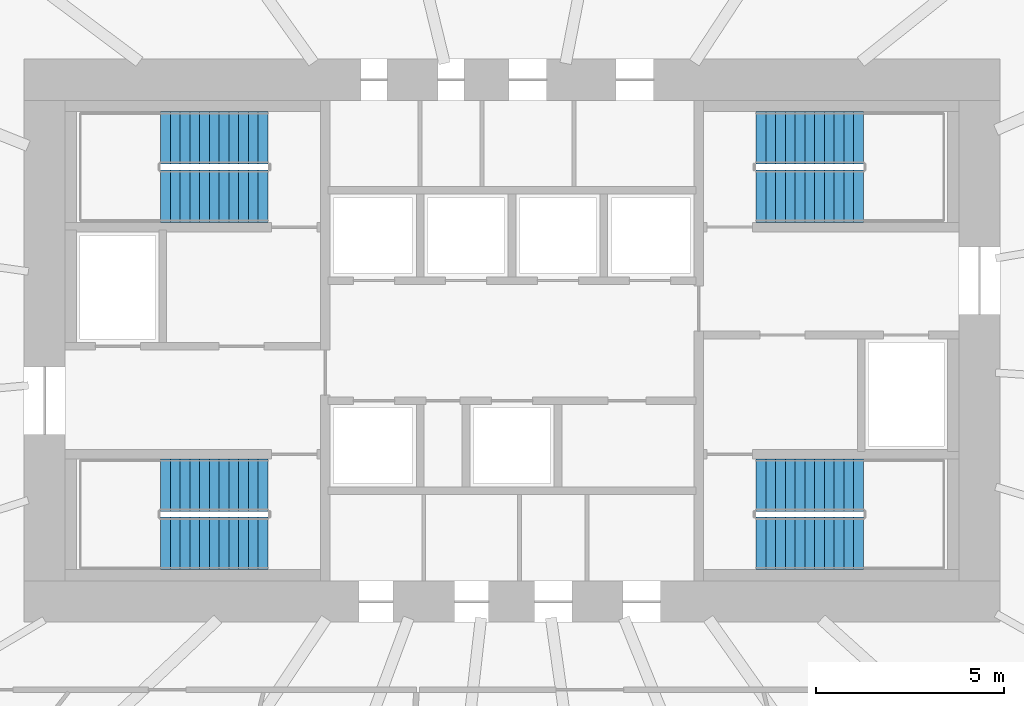
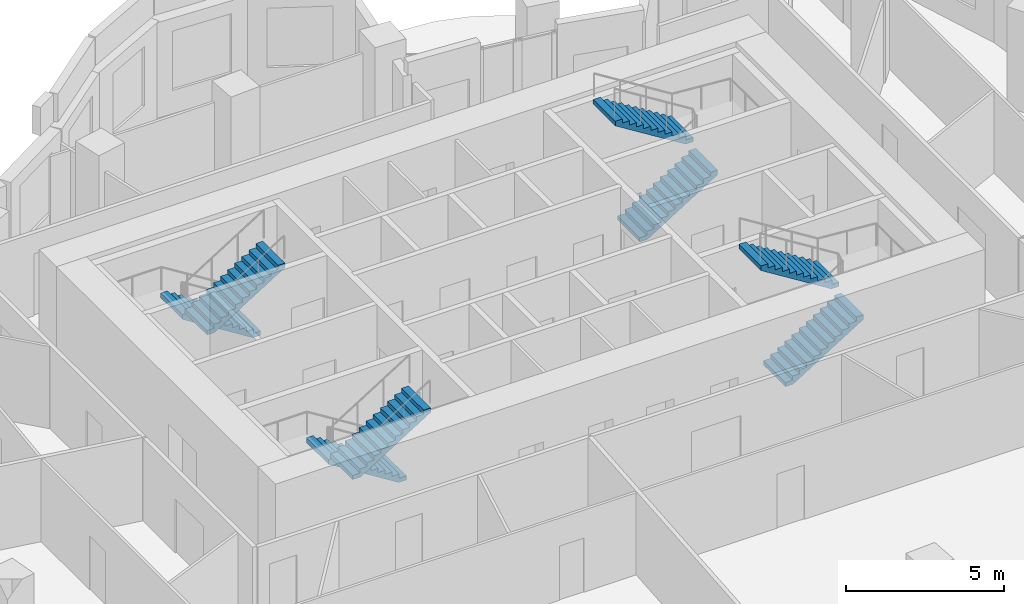
# One storey, part 10 of 11: 8 stair flights, 4 elements without a shape of their own.
"""IFC4 building model written with IfcOpenShell, lengths in metres."""

from ifc_helpers import new_model, si_unit, direction, frame, origin, place, context, subcontext, project, spatial, polyline, outline, extrude, material, type_object, element, aggregate, save


model = new_model("IFC4")

# Units and contexts
model_context = context("Model", 3, precision=1e-05, world=origin(), true_north=direction((0.0, 1.0)))
body_context = subcontext(model_context, "Body", "Model", "MODEL_VIEW")
ifc_project = project(units=[si_unit("LENGTHUNIT", "METRE"), si_unit("AREAUNIT", "SQUARE_METRE"), si_unit("VOLUMEUNIT", "CUBIC_METRE"), si_unit("PLANEANGLEUNIT", "RADIAN"), si_unit("MASSUNIT", "GRAM", prefix="KILO")], contexts=[model_context])

# Site, building, storey
site_placement = place(None, origin())
site = spatial("IfcSite", under=ifc_project, at=site_placement, CompositionType="ELEMENT")
building_placement = place(site_placement, origin())
building = spatial("IfcBuilding", under=site, at=building_placement, Name="Rubra Terraces Tower", CompositionType="ELEMENT")
storey_placement = place(building_placement, frame((0.0, 0.0, 146.10009765625)))
storey = spatial("IfcBuildingStorey", under=building, at=storey_placement, Name="L35", CompositionType="ELEMENT", Elevation=146.10009765625)

# Stair, stair flights
ifc_material = material(Name="Concrete C40", Category="concrete")
stair_type = type_object("IfcStairType", Name="Core stair 1400", PredefinedType="HALF_TURN_STAIR", material=ifc_material)
stair_1_placement = place(storey_placement, origin())
stair_1 = element("IfcStair", 1, at=stair_1_placement, inside=storey, type_object=stair_type, Name="L35 Exit stair S1", PredefinedType="HALF_TURN_STAIR")
stair_flight_type = type_object("IfcStairFlightType", Name="Core stair flight 1400", PredefinedType="STRAIGHT", material=ifc_material)
stair_flight_1_placement = place(storey_placement, frame((-6.5, 0.64990234375, 0.0), z_axis=(0.0, 0.0, 1.0), x_axis=(-1.0, 0.0, 0.0)))
stair_flight_1 = element("IfcStairFlight", 2, at=stair_flight_1_placement, type_object=stair_flight_type, Name="S1 flight 1", NumberOfRisers=12, NumberOfTreads=11, PredefinedType="STRAIGHT", RiserHeight=0.1625, TreadLength=0.26, context=body_context, shape_type="SweptSolid", body=[
    extrude(outline(polyline([(0.0, 0.0), (0.0, 0.16259765625), (0.260009765625, 0.16259765625), (0.260009765625, 0.324951171875), (0.52001953125, 0.324951171875), (0.52001953125, 0.487548828125), (0.780029296875, 0.487548828125), (0.780029296875, 0.64990234375), (1.0400390625, 0.64990234375), (1.0400390625, 0.8125), (1.300048828125, 0.8125), (1.300048828125, 0.97509765625), (1.56005859375, 0.97509765625), (1.56005859375, 1.137451171875), (1.820068359375, 1.137451171875), (1.820068359375, 1.300048828125), (2.080078125, 1.300048828125), (2.080078125, 1.46240234375), (2.340087890625, 1.46240234375), (2.340087890625, 1.625), (2.60009765625, 1.625), (2.60009765625, 1.78759765625), (2.860107421875, 1.78759765625), (2.860107421875, 1.949951171875), (2.860107421875, 1.61083984375), (0.28271484375, 0.0), (0.0, 0.0)])), frame((0.0, 0.699951171875, 0.0), z_axis=(0.0, -1.0, 0.0), x_axis=(1.0, 0.0, 0.0)), (0.0, 0.0, 1.0), 1.39990234375),
])
stair_flight_2_placement = place(storey_placement, frame((-9.360107421875, -0.89990234375, 1.949951171875), z_axis=(0.0, 0.0, 1.0), x_axis=(1.0, 0.0, 0.0)))
stair_flight_2 = element("IfcStairFlight", 3, at=stair_flight_2_placement, type_object=stair_flight_type, Name="S1 flight 2", NumberOfRisers=12, NumberOfTreads=11, PredefinedType="STRAIGHT", RiserHeight=0.1625, TreadLength=0.26, context=body_context, shape_type="SweptSolid", body=[
    extrude(outline(polyline([(0.0, 0.0), (0.0, 0.16259765625), (0.260009765625, 0.16259765625), (0.260009765625, 0.324951171875), (0.52001953125, 0.324951171875), (0.52001953125, 0.487548828125), (0.780029296875, 0.487548828125), (0.780029296875, 0.64990234375), (1.0400390625, 0.64990234375), (1.0400390625, 0.8125), (1.300048828125, 0.8125), (1.300048828125, 0.97509765625), (1.56005859375, 0.97509765625), (1.56005859375, 1.137451171875), (1.820068359375, 1.137451171875), (1.820068359375, 1.300048828125), (2.080078125, 1.300048828125), (2.080078125, 1.46240234375), (2.340087890625, 1.46240234375), (2.340087890625, 1.625), (2.60009765625, 1.625), (2.60009765625, 1.78759765625), (2.860107421875, 1.78759765625), (2.860107421875, 1.949951171875), (2.860107421875, 1.61083984375), (0.28271484375, 0.0), (0.0, 0.0)])), frame((0.0, 0.699951171875, 0.0), z_axis=(0.0, -1.0, 0.0), x_axis=(1.0, 0.0, 0.0)), (0.0, 0.0, 1.0), 1.39990234375),
])
aggregate(stair_1, [stair_flight_1, stair_flight_2])

stair_2_placement = place(storey_placement, origin())
stair_2 = element("IfcStair", 4, at=stair_2_placement, inside=storey, type_object=stair_type, Name="L35 Exit stair S2", PredefinedType="HALF_TURN_STAIR")
stair_flight_3_placement = place(storey_placement, frame((-6.5, 9.89990234375, 0.0), z_axis=(0.0, 0.0, 1.0), x_axis=(-1.0, 0.0, 0.0)))
stair_flight_3 = element("IfcStairFlight", 5, at=stair_flight_3_placement, type_object=stair_flight_type, Name="S2 flight 1", NumberOfRisers=12, NumberOfTreads=11, PredefinedType="STRAIGHT", RiserHeight=0.1625, TreadLength=0.26, context=body_context, shape_type="SweptSolid", body=[
    extrude(outline(polyline([(0.0, 0.0), (0.0, 0.16259765625), (0.260009765625, 0.16259765625), (0.260009765625, 0.324951171875), (0.52001953125, 0.324951171875), (0.52001953125, 0.487548828125), (0.780029296875, 0.487548828125), (0.780029296875, 0.64990234375), (1.0400390625, 0.64990234375), (1.0400390625, 0.8125), (1.300048828125, 0.8125), (1.300048828125, 0.97509765625), (1.56005859375, 0.97509765625), (1.56005859375, 1.137451171875), (1.820068359375, 1.137451171875), (1.820068359375, 1.300048828125), (2.080078125, 1.300048828125), (2.080078125, 1.46240234375), (2.340087890625, 1.46240234375), (2.340087890625, 1.625), (2.60009765625, 1.625), (2.60009765625, 1.78759765625), (2.860107421875, 1.78759765625), (2.860107421875, 1.949951171875), (2.860107421875, 1.61083984375), (0.28271484375, 0.0), (0.0, 0.0)])), frame((0.0, 0.699951171875, 0.0), z_axis=(0.0, -1.0, 0.0), x_axis=(1.0, 0.0, 0.0)), (0.0, 0.0, 1.0), 1.39990234375),
])
stair_flight_4_placement = place(storey_placement, frame((-9.360107421875, 8.35009765625, 1.949951171875), z_axis=(0.0, 0.0, 1.0), x_axis=(1.0, 0.0, 0.0)))
stair_flight_4 = element("IfcStairFlight", 6, at=stair_flight_4_placement, type_object=stair_flight_type, Name="S2 flight 2", NumberOfRisers=12, NumberOfTreads=11, PredefinedType="STRAIGHT", RiserHeight=0.1625, TreadLength=0.26, context=body_context, shape_type="SweptSolid", body=[
    extrude(outline(polyline([(0.0, 0.0), (0.0, 0.16259765625), (0.260009765625, 0.16259765625), (0.260009765625, 0.324951171875), (0.52001953125, 0.324951171875), (0.52001953125, 0.487548828125), (0.780029296875, 0.487548828125), (0.780029296875, 0.64990234375), (1.0400390625, 0.64990234375), (1.0400390625, 0.8125), (1.300048828125, 0.8125), (1.300048828125, 0.97509765625), (1.56005859375, 0.97509765625), (1.56005859375, 1.137451171875), (1.820068359375, 1.137451171875), (1.820068359375, 1.300048828125), (2.080078125, 1.300048828125), (2.080078125, 1.46240234375), (2.340087890625, 1.46240234375), (2.340087890625, 1.625), (2.60009765625, 1.625), (2.60009765625, 1.78759765625), (2.860107421875, 1.78759765625), (2.860107421875, 1.949951171875), (2.860107421875, 1.61083984375), (0.28271484375, 0.0), (0.0, 0.0)])), frame((0.0, 0.699951171875, 0.0), z_axis=(0.0, -1.0, 0.0), x_axis=(1.0, 0.0, 0.0)), (0.0, 0.0, 1.0), 1.39990234375),
])
aggregate(stair_2, [stair_flight_3, stair_flight_4])

stair_3_placement = place(storey_placement, origin())
stair_3 = element("IfcStair", 7, at=stair_3_placement, inside=storey, type_object=stair_type, Name="L35 Exit stair S3", PredefinedType="HALF_TURN_STAIR")
stair_flight_5_placement = place(storey_placement, frame((6.5, 8.35009765625, 0.0), z_axis=(0.0, 0.0, 1.0), x_axis=(1.0, 0.0, 0.0)))
stair_flight_5 = element("IfcStairFlight", 8, at=stair_flight_5_placement, type_object=stair_flight_type, Name="S3 flight 1", NumberOfRisers=12, NumberOfTreads=11, PredefinedType="STRAIGHT", RiserHeight=0.1625, TreadLength=0.26, context=body_context, shape_type="SweptSolid", body=[
    extrude(outline(polyline([(0.0, 0.0), (0.0, 0.16259765625), (0.260009765625, 0.16259765625), (0.260009765625, 0.324951171875), (0.52001953125, 0.324951171875), (0.52001953125, 0.487548828125), (0.780029296875, 0.487548828125), (0.780029296875, 0.64990234375), (1.0400390625, 0.64990234375), (1.0400390625, 0.8125), (1.300048828125, 0.8125), (1.300048828125, 0.97509765625), (1.56005859375, 0.97509765625), (1.56005859375, 1.137451171875), (1.820068359375, 1.137451171875), (1.820068359375, 1.300048828125), (2.080078125, 1.300048828125), (2.080078125, 1.46240234375), (2.340087890625, 1.46240234375), (2.340087890625, 1.625), (2.60009765625, 1.625), (2.60009765625, 1.78759765625), (2.860107421875, 1.78759765625), (2.860107421875, 1.949951171875), (2.860107421875, 1.61083984375), (0.28271484375, 0.0), (0.0, 0.0)])), frame((0.0, 0.699951171875, 0.0), z_axis=(0.0, -1.0, 0.0), x_axis=(1.0, 0.0, 0.0)), (0.0, 0.0, 1.0), 1.39990234375),
])
stair_flight_6_placement = place(storey_placement, frame((9.360107421875, 9.89990234375, 1.949951171875), z_axis=(0.0, 0.0, 1.0), x_axis=(-1.0, 0.0, 0.0)))
stair_flight_6 = element("IfcStairFlight", 9, at=stair_flight_6_placement, type_object=stair_flight_type, Name="S3 flight 2", NumberOfRisers=12, NumberOfTreads=11, PredefinedType="STRAIGHT", RiserHeight=0.1625, TreadLength=0.26, context=body_context, shape_type="SweptSolid", body=[
    extrude(outline(polyline([(0.0, 0.0), (0.0, 0.16259765625), (0.260009765625, 0.16259765625), (0.260009765625, 0.324951171875), (0.52001953125, 0.324951171875), (0.52001953125, 0.487548828125), (0.780029296875, 0.487548828125), (0.780029296875, 0.64990234375), (1.0400390625, 0.64990234375), (1.0400390625, 0.8125), (1.300048828125, 0.8125), (1.300048828125, 0.97509765625), (1.56005859375, 0.97509765625), (1.56005859375, 1.137451171875), (1.820068359375, 1.137451171875), (1.820068359375, 1.300048828125), (2.080078125, 1.300048828125), (2.080078125, 1.46240234375), (2.340087890625, 1.46240234375), (2.340087890625, 1.625), (2.60009765625, 1.625), (2.60009765625, 1.78759765625), (2.860107421875, 1.78759765625), (2.860107421875, 1.949951171875), (2.860107421875, 1.61083984375), (0.28271484375, 0.0), (0.0, 0.0)])), frame((0.0, 0.699951171875, 0.0), z_axis=(0.0, -1.0, 0.0), x_axis=(1.0, 0.0, 0.0)), (0.0, 0.0, 1.0), 1.39990234375),
])
aggregate(stair_3, [stair_flight_5, stair_flight_6])

stair_4_placement = place(storey_placement, origin())
stair_4 = element("IfcStair", 10, at=stair_4_placement, inside=storey, type_object=stair_type, Name="L35 Exit stair S4", PredefinedType="HALF_TURN_STAIR")
stair_flight_7_placement = place(storey_placement, frame((6.5, -0.89990234375, 0.0), z_axis=(0.0, 0.0, 1.0), x_axis=(1.0, 0.0, 0.0)))
stair_flight_7 = element("IfcStairFlight", 11, at=stair_flight_7_placement, type_object=stair_flight_type, Name="S4 flight 1", NumberOfRisers=12, NumberOfTreads=11, PredefinedType="STRAIGHT", RiserHeight=0.1625, TreadLength=0.26, context=body_context, shape_type="SweptSolid", body=[
    extrude(outline(polyline([(0.0, 0.0), (0.0, 0.16259765625), (0.260009765625, 0.16259765625), (0.260009765625, 0.324951171875), (0.52001953125, 0.324951171875), (0.52001953125, 0.487548828125), (0.780029296875, 0.487548828125), (0.780029296875, 0.64990234375), (1.0400390625, 0.64990234375), (1.0400390625, 0.8125), (1.300048828125, 0.8125), (1.300048828125, 0.97509765625), (1.56005859375, 0.97509765625), (1.56005859375, 1.137451171875), (1.820068359375, 1.137451171875), (1.820068359375, 1.300048828125), (2.080078125, 1.300048828125), (2.080078125, 1.46240234375), (2.340087890625, 1.46240234375), (2.340087890625, 1.625), (2.60009765625, 1.625), (2.60009765625, 1.78759765625), (2.860107421875, 1.78759765625), (2.860107421875, 1.949951171875), (2.860107421875, 1.61083984375), (0.28271484375, 0.0), (0.0, 0.0)])), frame((0.0, 0.699951171875, 0.0), z_axis=(0.0, -1.0, 0.0), x_axis=(1.0, 0.0, 0.0)), (0.0, 0.0, 1.0), 1.39990234375),
])
stair_flight_8_placement = place(storey_placement, frame((9.360107421875, 0.64990234375, 1.949951171875), z_axis=(0.0, 0.0, 1.0), x_axis=(-1.0, 0.0, 0.0)))
stair_flight_8 = element("IfcStairFlight", 12, at=stair_flight_8_placement, type_object=stair_flight_type, Name="S4 flight 2", NumberOfRisers=12, NumberOfTreads=11, PredefinedType="STRAIGHT", RiserHeight=0.1625, TreadLength=0.26, context=body_context, shape_type="SweptSolid", body=[
    extrude(outline(polyline([(0.0, 0.0), (0.0, 0.16259765625), (0.260009765625, 0.16259765625), (0.260009765625, 0.324951171875), (0.52001953125, 0.324951171875), (0.52001953125, 0.487548828125), (0.780029296875, 0.487548828125), (0.780029296875, 0.64990234375), (1.0400390625, 0.64990234375), (1.0400390625, 0.8125), (1.300048828125, 0.8125), (1.300048828125, 0.97509765625), (1.56005859375, 0.97509765625), (1.56005859375, 1.137451171875), (1.820068359375, 1.137451171875), (1.820068359375, 1.300048828125), (2.080078125, 1.300048828125), (2.080078125, 1.46240234375), (2.340087890625, 1.46240234375), (2.340087890625, 1.625), (2.60009765625, 1.625), (2.60009765625, 1.78759765625), (2.860107421875, 1.78759765625), (2.860107421875, 1.949951171875), (2.860107421875, 1.61083984375), (0.28271484375, 0.0), (0.0, 0.0)])), frame((0.0, 0.699951171875, 0.0), z_axis=(0.0, -1.0, 0.0), x_axis=(1.0, 0.0, 0.0)), (0.0, 0.0, 1.0), 1.39990234375),
])
aggregate(stair_4, [stair_flight_7, stair_flight_8])

save(model, "model.ifc")
